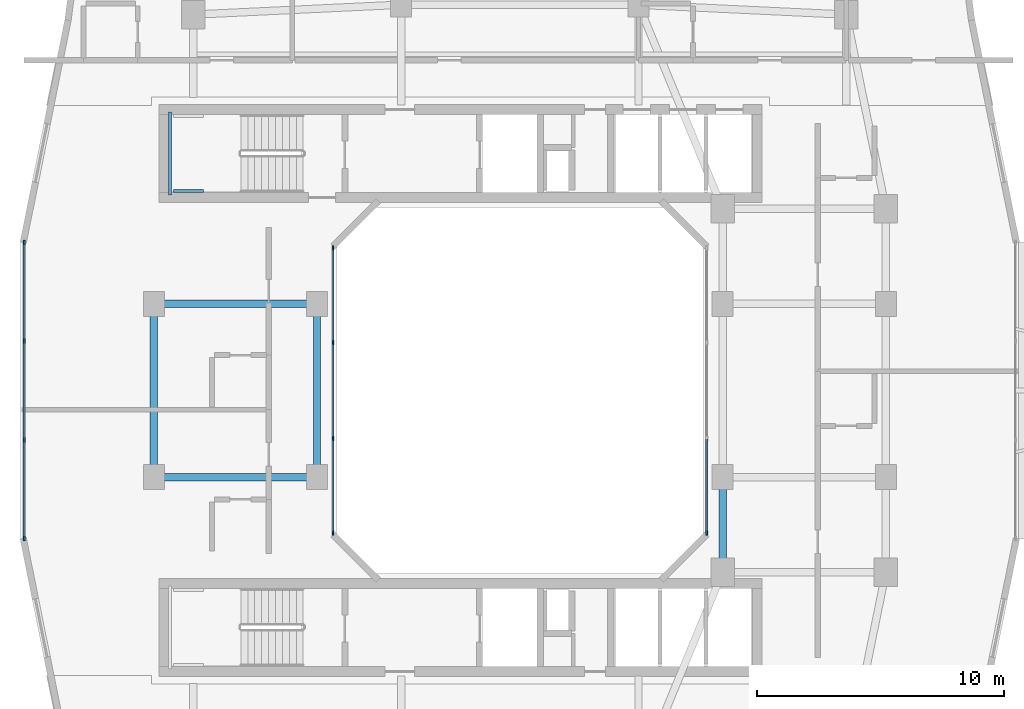
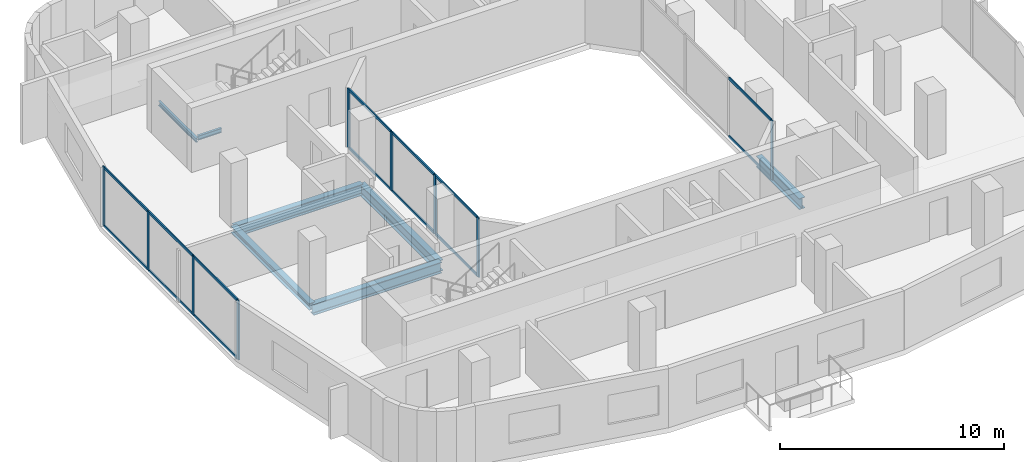
# One storey, part 2 of 22: 23 members, 7 beams, 3 elements without a shape of their own.
"""IFC4 building model written with IfcOpenShell, lengths in metres."""

from ifc_helpers import new_model, si_unit, derived_unit, direction, frame, origin, origin_2d, place, context, subcontext, project, spatial, rectangle, i_section, extrude, material, layer, layer_set, material_profile, profile_set, type_object, element, aggregate, save


model = new_model("IFC4")

# Units and contexts
model_context = context("Model", 3, precision=1e-05, world=origin(), true_north=direction((0.0, 1.0)))
body_context = subcontext(model_context, "Body", "Model", "MODEL_VIEW")
ifc_project = project(units=[si_unit("LENGTHUNIT", "METRE"), si_unit("AREAUNIT", "SQUARE_METRE"), si_unit("VOLUMEUNIT", "CUBIC_METRE"), si_unit("PLANEANGLEUNIT", "RADIAN"), si_unit("MASSUNIT", "GRAM", prefix="KILO"), derived_unit("THERMALTRANSMITTANCEUNIT", [(si_unit("POWERUNIT", "WATT"), 1), (si_unit("LENGTHUNIT", "METRE"), -2), (si_unit("THERMODYNAMICTEMPERATUREUNIT", "KELVIN"), -1)])], contexts=[model_context])

# Site, building, storey
site_placement = place(None, origin())
site = spatial("IfcSite", under=ifc_project, at=site_placement, CompositionType="ELEMENT")
building_placement = place(site_placement, origin())
building = spatial("IfcBuilding", under=site, at=building_placement, Name="Kivonza Crest Hotel", CompositionType="ELEMENT")
storey_placement = place(building_placement, frame((0.0, 0.0, 112.5)))
storey = spatial("IfcBuildingStorey", under=building, at=storey_placement, Name="L30", CompositionType="ELEMENT", Elevation=112.5)

# Beams
ifc_material_1 = material(Name="Steel S355", Category="steel")
ifc_material_profile_1 = material_profile(ifc_material_1, i_section(OverallWidth=0.300048828125, OverallDepth=0.360107421875, WebThickness=0.012451171875, FlangeThickness=0.0224609375, FilletRadius=0.027099609375, at=origin_2d()), Name="HEB 360")
ifc_profile_set_1 = profile_set([ifc_material_profile_1], Name="Steel S355")
beam_type_1 = type_object("IfcBeamType", Name="BM-HEB360", PredefinedType="SPANDREL", material=ifc_profile_set_1)
beam_1_placement = place(storey_placement, frame((6.199951171875, 28.5, -0.4599609375), z_axis=(0.0, -1.0, 0.0), x_axis=(1.0, 0.0, 0.0)))
element("IfcBeam", 1, at=beam_1_placement, inside=storey, type_object=beam_type_1, Name="Tower T1 L30 perimeter spandrel W2-W1", PredefinedType="SPANDREL", context=body_context, shape_type="SweptSolid", body=[
    extrude(i_section(OverallWidth=0.300048828125, OverallDepth=0.360107421875, WebThickness=0.012451171875, FlangeThickness=0.0224609375, FilletRadius=0.027099609375, at=origin_2d()), origin(), (0.0, 0.0, 1.0), 7.0),
])
ifc_material_profile_2 = material_profile(ifc_material_1, i_section(OverallWidth=0.300048828125, OverallDepth=0.60009765625, WebThickness=0.015380859375, FlangeThickness=0.030029296875, FilletRadius=0.027099609375, at=origin_2d()), Name="HEB 600")
ifc_profile_set_2 = profile_set([ifc_material_profile_2], Name="Steel S355")
beam_type_2 = type_object("IfcBeamType", Name="BM-HEB600", PredefinedType="BEAM", material=ifc_profile_set_2)
for number, where, z_axis, x_axis, name in (
    (2, (6.199951171875, 21.5, -0.580078125), (1.0, 0.0, 0.0), (0.0, 1.0, 0.0), "Tower T1 L30 primary girder W1-WL1"),
    (3, (6.199951171875, 28.5, -0.580078125), (1.0, 0.0, 0.0), (0.0, 1.0, 0.0), "Tower T1 L30 primary girder W2-WL2"),
):
    element("IfcBeam", number, at=place(storey_placement, frame(where, z_axis=z_axis, x_axis=x_axis)), inside=storey, type_object=beam_type_2, Name=name, PredefinedType="BEAM", context=body_context, shape_type="SweptSolid", body=[
        extrude(i_section(OverallWidth=0.300048828125, OverallDepth=0.60009765625, WebThickness=0.015380859375, FlangeThickness=0.030029296875, FilletRadius=0.027099609375, at=origin_2d()), origin(), (0.0, 0.0, 1.0), 6.60009765625),
    ])
beam_2_placement = place(storey_placement, frame((12.800048828125, 21.5, -0.580078125), z_axis=(0.0, 1.0, 0.0), x_axis=(-1.0, 0.0, 0.0)))
element("IfcBeam", 4, at=beam_2_placement, inside=storey, type_object=beam_type_2, Name="Tower T1 L30 primary girder WL1-WL2", PredefinedType="BEAM", context=body_context, shape_type="SweptSolid", body=[
    extrude(i_section(OverallWidth=0.300048828125, OverallDepth=0.60009765625, WebThickness=0.015380859375, FlangeThickness=0.030029296875, FilletRadius=0.027099609375, at=origin_2d()), origin(), (0.0, 0.0, 1.0), 7.0),
])
beam_3_placement = place(storey_placement, frame((29.199951171875, 17.64990234375, -0.580078125), z_axis=(0.0, 1.0, 0.0), x_axis=(-1.0, 0.0, 0.0)))
element("IfcBeam", 5, at=beam_3_placement, inside=storey, type_object=beam_type_2, Name="Tower T1 L30 primary girder TSE-WR1", PredefinedType="BEAM", context=body_context, shape_type="SweptSolid", body=[
    extrude(i_section(OverallWidth=0.300048828125, OverallDepth=0.60009765625, WebThickness=0.015380859375, FlangeThickness=0.030029296875, FilletRadius=0.027099609375, at=origin_2d()), origin(), (0.0, 0.0, 1.0), 3.85009765625),
])
ifc_material_profile_3 = material_profile(ifc_material_1, i_section(OverallWidth=0.1201171875, OverallDepth=0.239990234375, WebThickness=0.006103515625, FlangeThickness=0.009765625, FilletRadius=0.014892578125, at=origin_2d()), Name="IPE 240")
ifc_profile_set_3 = profile_set([ifc_material_profile_3], Name="Steel S355")
beam_type_3 = type_object("IfcBeamType", Name="BM-LLDG-240", PredefinedType="BEAM", material=ifc_profile_set_3)
beam_4_placement = place(storey_placement, frame((6.860107421875, 32.89990234375, 1.429931640625), z_axis=(0.0, 1.0, 0.0), x_axis=(-1.0, 0.0, 0.0)))
element("IfcBeam", 6, at=beam_4_placement, inside=storey, type_object=beam_type_3, Name="Stair ST-T1-N L30 West landing corbel", PredefinedType="BEAM", context=body_context, shape_type="SweptSolid", body=[
    extrude(i_section(OverallWidth=0.1201171875, OverallDepth=0.239990234375, WebThickness=0.006103515625, FlangeThickness=0.009765625, FilletRadius=0.014892578125, at=origin_2d()), origin(), (0.0, 0.0, 1.0), 3.360107421875),
])
beam_5_placement = place(storey_placement, frame((6.989990234375, 33.06005859375, 1.429931640625), z_axis=(1.0, 0.0, 0.0), x_axis=(0.0, 1.0, 0.0)))
element("IfcBeam", 7, at=beam_5_placement, inside=storey, type_object=beam_type_3, Name="Stair ST-T1-N L30 South landing corbel", PredefinedType="BEAM", context=body_context, shape_type="SweptSolid", body=[
    extrude(i_section(OverallWidth=0.1201171875, OverallDepth=0.239990234375, WebThickness=0.006103515625, FlangeThickness=0.009765625, FilletRadius=0.014892578125, at=origin_2d()), origin(), (0.0, 0.0, 1.0), 1.2099609375),
])

# Curtain wall, members
ifc_material_2 = material(Name="Anodised bronze aluminium and low-E double glazing", Category="aluminium")
ifc_layer_1 = layer(ifc_material_2, 0.179931640625)
ifc_layer_set_1 = layer_set([ifc_layer_1], Name="Anodised bronze aluminium and low-E double glazing")
curtain_wall_type_1 = type_object("IfcCurtainWallType", Name="CW-SYS-2", PredefinedType="NOTDEFINED", material=ifc_layer_set_1)
curtain_wall_1_placement = place(storey_placement, origin())
curtain_wall_1 = element("IfcCurtainWall", 8, at=curtain_wall_1_placement, inside=storey, type_object=curtain_wall_type_1, Name="L30 unitised curtain wall CW-T1-L30-35", PredefinedType="NOTDEFINED")
ifc_material_3 = material(Name="Anodised bronze aluminium", Category="aluminium")
ifc_material_profile_4 = material_profile(ifc_material_3, rectangle(XDim=0.06494140625, YDim=0.179931640625, at=origin_2d()), Name="CW-M 65x180")
ifc_profile_set_4 = profile_set([ifc_material_profile_4], Name="Anodised bronze aluminium")
member_type_1 = type_object("IfcMemberType", Name="CW-MUL-65x180", PredefinedType="MULLION", material=ifc_profile_set_4)
member_1_placement = place(storey_placement, frame((0.9599609375, 30.987548828125, 0.0), z_axis=(0.0, 0.0, 1.0), x_axis=(1.0, 0.0, 0.0)))
member_1 = element("IfcMember", 9, at=member_1_placement, type_object=member_type_1, Name="CW-2 mullion 1", PredefinedType="MULLION", context=body_context, shape_type="SweptSolid", body=[
    extrude(rectangle(XDim=0.06494140625, YDim=0.179931640625, at=origin_2d()), origin(), (0.0, 0.0, 1.0), 3.219970703125),
])
member_2_placement = place(storey_placement, frame((0.9599609375, 27.006591796875, 0.0), z_axis=(0.0, 0.0, 1.0), x_axis=(1.0, 0.0, 0.0)))
member_2 = element("IfcMember", 10, at=member_2_placement, type_object=member_type_1, Name="CW-2 mullion 2", PredefinedType="MULLION", context=body_context, shape_type="SweptSolid", body=[
    extrude(rectangle(XDim=0.06494140625, YDim=0.179931640625, at=origin_2d()), origin(), (0.0, 0.0, 1.0), 3.219970703125),
])
member_3_placement = place(storey_placement, frame((0.9599609375, 22.993408203125, 0.0), z_axis=(0.0, 0.0, 1.0), x_axis=(1.0, 0.0, 0.0)))
member_3 = element("IfcMember", 11, at=member_3_placement, type_object=member_type_1, Name="CW-2 mullion 3", PredefinedType="MULLION", context=body_context, shape_type="SweptSolid", body=[
    extrude(rectangle(XDim=0.06494140625, YDim=0.179931640625, at=origin_2d()), origin(), (0.0, 0.0, 1.0), 3.219970703125),
])
member_4_placement = place(storey_placement, frame((0.9599609375, 19.012451171875, 0.0), z_axis=(0.0, 0.0, 1.0), x_axis=(1.0, 0.0, 0.0)))
member_4 = element("IfcMember", 12, at=member_4_placement, type_object=member_type_1, Name="CW-2 mullion 4", PredefinedType="MULLION", context=body_context, shape_type="SweptSolid", body=[
    extrude(rectangle(XDim=0.06494140625, YDim=0.179931640625, at=origin_2d()), origin(), (0.0, 0.0, 1.0), 3.219970703125),
])

# Curtain wall, member
ifc_layer_2 = layer(ifc_material_2, 0.159912109375)
ifc_layer_set_2 = layer_set([ifc_layer_2], Name="Anodised bronze aluminium and low-E double glazing")
curtain_wall_type_2 = type_object("IfcCurtainWallType", Name="CW-SYS-5", PredefinedType="NOTDEFINED", material=ifc_layer_set_2)
curtain_wall_2_placement = place(storey_placement, origin())
curtain_wall_2 = element("IfcCurtainWall", 13, at=curtain_wall_2_placement, inside=storey, type_object=curtain_wall_type_2, Name="L30 unitised curtain wall CW-WELL-T1-L30-3", PredefinedType="NOTDEFINED")
member_5_placement = place(storey_placement, frame((28.56005859375, 19.232421875, 0.0), z_axis=(0.0, 0.0, 1.0), x_axis=(-1.0, 0.0, 0.0)))
member_5 = element("IfcMember", 14, at=member_5_placement, type_object=member_type_1, Name="CW-5 mullion 1", PredefinedType="MULLION", context=body_context, shape_type="SweptSolid", body=[
    extrude(rectangle(XDim=0.06494140625, YDim=0.179931640625, at=origin_2d()), origin(), (0.0, 0.0, 1.0), 3.219970703125),
])

# Curtain wall, members
curtain_wall_3_placement = place(storey_placement, origin())
curtain_wall_3 = element("IfcCurtainWall", 15, at=curtain_wall_3_placement, inside=storey, type_object=curtain_wall_type_2, Name="L30 unitised curtain wall CW-WELL-T1-L30-7", PredefinedType="NOTDEFINED")
member_6_placement = place(storey_placement, frame((13.43994140625, 30.767578125, 0.0), z_axis=(0.0, 0.0, 1.0), x_axis=(1.0, 0.0, 0.0)))
member_6 = element("IfcMember", 16, at=member_6_placement, type_object=member_type_1, Name="CW-5 mullion 1", PredefinedType="MULLION", context=body_context, shape_type="SweptSolid", body=[
    extrude(rectangle(XDim=0.06494140625, YDim=0.179931640625, at=origin_2d()), origin(), (0.0, 0.0, 1.0), 3.219970703125),
])
member_7_placement = place(storey_placement, frame((13.43994140625, 26.933349609375, 0.0), z_axis=(0.0, 0.0, 1.0), x_axis=(1.0, 0.0, 0.0)))
member_7 = element("IfcMember", 17, at=member_7_placement, type_object=member_type_1, Name="CW-5 mullion 2", PredefinedType="MULLION", context=body_context, shape_type="SweptSolid", body=[
    extrude(rectangle(XDim=0.06494140625, YDim=0.179931640625, at=origin_2d()), origin(), (0.0, 0.0, 1.0), 3.219970703125),
])
member_8_placement = place(storey_placement, frame((13.43994140625, 23.066650390625, 0.0), z_axis=(0.0, 0.0, 1.0), x_axis=(1.0, 0.0, 0.0)))
member_8 = element("IfcMember", 18, at=member_8_placement, type_object=member_type_1, Name="CW-5 mullion 3", PredefinedType="MULLION", context=body_context, shape_type="SweptSolid", body=[
    extrude(rectangle(XDim=0.06494140625, YDim=0.179931640625, at=origin_2d()), origin(), (0.0, 0.0, 1.0), 3.219970703125),
])
member_9_placement = place(storey_placement, frame((13.43994140625, 19.232421875, 0.0), z_axis=(0.0, 0.0, 1.0), x_axis=(1.0, 0.0, 0.0)))
member_9 = element("IfcMember", 19, at=member_9_placement, type_object=member_type_1, Name="CW-5 mullion 4", PredefinedType="MULLION", context=body_context, shape_type="SweptSolid", body=[
    extrude(rectangle(XDim=0.06494140625, YDim=0.179931640625, at=origin_2d()), origin(), (0.0, 0.0, 1.0), 3.219970703125),
])

# Member
ifc_material_profile_5 = material_profile(ifc_material_3, rectangle(XDim=0.06494140625, YDim=0.139892578125, at=origin_2d()), Name="CW-T 65x140")
ifc_profile_set_5 = profile_set([ifc_material_profile_5], Name="Anodised bronze aluminium")
member_type_2 = type_object("IfcMemberType", Name="CW-TRN-65x140", PredefinedType="USERDEFINED", material=ifc_profile_set_5)
member_10_placement = place(storey_placement, frame((0.9599609375, 30.955078125, 0.032470703125), z_axis=(0.0, -1.0, 0.0), x_axis=(1.0, 0.0, 0.0)))
member_10 = element("IfcMember", 20, at=member_10_placement, type_object=member_type_2, Name="CW-2 transom 1.1", ObjectType="TRANSOM", PredefinedType="USERDEFINED", context=body_context, shape_type="SweptSolid", body=[
    extrude(rectangle(XDim=0.06494140625, YDim=0.139892578125, at=origin_2d()), origin(), (0.0, 0.0, 1.0), 3.916015625),
])

member_11_placement = place(storey_placement, frame((0.9599609375, 30.955078125, 3.1875), z_axis=(0.0, -1.0, 0.0), x_axis=(1.0, 0.0, 0.0)))
member_11 = element("IfcMember", 21, at=member_11_placement, type_object=member_type_2, Name="CW-2 transom 1.2", ObjectType="TRANSOM", PredefinedType="USERDEFINED", context=body_context, shape_type="SweptSolid", body=[
    extrude(rectangle(XDim=0.06494140625, YDim=0.139892578125, at=origin_2d()), origin(), (0.0, 0.0, 1.0), 3.916015625),
])

member_12_placement = place(storey_placement, frame((0.9599609375, 26.97412109375, 0.032470703125), z_axis=(0.0, -1.0, 0.0), x_axis=(1.0, 0.0, 0.0)))
member_12 = element("IfcMember", 22, at=member_12_placement, type_object=member_type_2, Name="CW-2 transom 2.1", ObjectType="TRANSOM", PredefinedType="USERDEFINED", context=body_context, shape_type="SweptSolid", body=[
    extrude(rectangle(XDim=0.06494140625, YDim=0.139892578125, at=origin_2d()), origin(), (0.0, 0.0, 1.0), 3.9482421875),
])

member_13_placement = place(storey_placement, frame((0.9599609375, 26.97412109375, 3.1875), z_axis=(0.0, -1.0, 0.0), x_axis=(1.0, 0.0, 0.0)))
member_13 = element("IfcMember", 23, at=member_13_placement, type_object=member_type_2, Name="CW-2 transom 2.2", ObjectType="TRANSOM", PredefinedType="USERDEFINED", context=body_context, shape_type="SweptSolid", body=[
    extrude(rectangle(XDim=0.06494140625, YDim=0.139892578125, at=origin_2d()), origin(), (0.0, 0.0, 1.0), 3.9482421875),
])

member_14_placement = place(storey_placement, frame((0.9599609375, 22.9609375, 0.032470703125), z_axis=(0.0, -1.0, 0.0), x_axis=(1.0, 0.0, 0.0)))
member_14 = element("IfcMember", 24, at=member_14_placement, type_object=member_type_2, Name="CW-2 transom 3.1", ObjectType="TRANSOM", PredefinedType="USERDEFINED", context=body_context, shape_type="SweptSolid", body=[
    extrude(rectangle(XDim=0.06494140625, YDim=0.139892578125, at=origin_2d()), origin(), (0.0, 0.0, 1.0), 3.916015625),
])

member_15_placement = place(storey_placement, frame((0.9599609375, 22.9609375, 3.1875), z_axis=(0.0, -1.0, 0.0), x_axis=(1.0, 0.0, 0.0)))
member_15 = element("IfcMember", 25, at=member_15_placement, type_object=member_type_2, Name="CW-2 transom 3.2", ObjectType="TRANSOM", PredefinedType="USERDEFINED", context=body_context, shape_type="SweptSolid", body=[
    extrude(rectangle(XDim=0.06494140625, YDim=0.139892578125, at=origin_2d()), origin(), (0.0, 0.0, 1.0), 3.916015625),
])

aggregate(curtain_wall_1, [member_1, member_2, member_3, member_4, member_10, member_11, member_12, member_13, member_14, member_15])

member_16_placement = place(storey_placement, frame((28.56005859375, 19.264892578125, 0.032470703125), z_axis=(0.0, 1.0, 0.0), x_axis=(-1.0, 0.0, 0.0)))
member_16 = element("IfcMember", 26, at=member_16_placement, type_object=member_type_2, Name="CW-5 transom 1.1", ObjectType="TRANSOM", PredefinedType="USERDEFINED", context=body_context, shape_type="SweptSolid", body=[
    extrude(rectangle(XDim=0.06494140625, YDim=0.139892578125, at=origin_2d()), origin(), (0.0, 0.0, 1.0), 3.769287109375),
])

member_17_placement = place(storey_placement, frame((28.56005859375, 19.264892578125, 3.1875), z_axis=(0.0, 1.0, 0.0), x_axis=(-1.0, 0.0, 0.0)))
member_17 = element("IfcMember", 27, at=member_17_placement, type_object=member_type_2, Name="CW-5 transom 1.2", ObjectType="TRANSOM", PredefinedType="USERDEFINED", context=body_context, shape_type="SweptSolid", body=[
    extrude(rectangle(XDim=0.06494140625, YDim=0.139892578125, at=origin_2d()), origin(), (0.0, 0.0, 1.0), 3.769287109375),
])

aggregate(curtain_wall_2, [member_5, member_16, member_17])

member_18_placement = place(storey_placement, frame((13.43994140625, 30.735107421875, 0.032470703125), z_axis=(0.0, -1.0, 0.0), x_axis=(1.0, 0.0, 0.0)))
member_18 = element("IfcMember", 28, at=member_18_placement, type_object=member_type_2, Name="CW-5 transom 1.1", ObjectType="TRANSOM", PredefinedType="USERDEFINED", context=body_context, shape_type="SweptSolid", body=[
    extrude(rectangle(XDim=0.06494140625, YDim=0.139892578125, at=origin_2d()), origin(), (0.0, 0.0, 1.0), 3.769287109375),
])

member_19_placement = place(storey_placement, frame((13.43994140625, 30.735107421875, 3.1875), z_axis=(0.0, -1.0, 0.0), x_axis=(1.0, 0.0, 0.0)))
member_19 = element("IfcMember", 29, at=member_19_placement, type_object=member_type_2, Name="CW-5 transom 1.2", ObjectType="TRANSOM", PredefinedType="USERDEFINED", context=body_context, shape_type="SweptSolid", body=[
    extrude(rectangle(XDim=0.06494140625, YDim=0.139892578125, at=origin_2d()), origin(), (0.0, 0.0, 1.0), 3.769287109375),
])

member_20_placement = place(storey_placement, frame((13.43994140625, 26.90087890625, 0.032470703125), z_axis=(0.0, -1.0, 0.0), x_axis=(1.0, 0.0, 0.0)))
member_20 = element("IfcMember", 30, at=member_20_placement, type_object=member_type_2, Name="CW-5 transom 2.1", ObjectType="TRANSOM", PredefinedType="USERDEFINED", context=body_context, shape_type="SweptSolid", body=[
    extrude(rectangle(XDim=0.06494140625, YDim=0.139892578125, at=origin_2d()), origin(), (0.0, 0.0, 1.0), 3.8017578125),
])

member_21_placement = place(storey_placement, frame((13.43994140625, 26.90087890625, 3.1875), z_axis=(0.0, -1.0, 0.0), x_axis=(1.0, 0.0, 0.0)))
member_21 = element("IfcMember", 31, at=member_21_placement, type_object=member_type_2, Name="CW-5 transom 2.2", ObjectType="TRANSOM", PredefinedType="USERDEFINED", context=body_context, shape_type="SweptSolid", body=[
    extrude(rectangle(XDim=0.06494140625, YDim=0.139892578125, at=origin_2d()), origin(), (0.0, 0.0, 1.0), 3.8017578125),
])

member_22_placement = place(storey_placement, frame((13.43994140625, 23.0341796875, 0.032470703125), z_axis=(0.0, -1.0, 0.0), x_axis=(1.0, 0.0, 0.0)))
member_22 = element("IfcMember", 32, at=member_22_placement, type_object=member_type_2, Name="CW-5 transom 3.1", ObjectType="TRANSOM", PredefinedType="USERDEFINED", context=body_context, shape_type="SweptSolid", body=[
    extrude(rectangle(XDim=0.06494140625, YDim=0.139892578125, at=origin_2d()), origin(), (0.0, 0.0, 1.0), 3.769287109375),
])

member_23_placement = place(storey_placement, frame((13.43994140625, 23.0341796875, 3.1875), z_axis=(0.0, -1.0, 0.0), x_axis=(1.0, 0.0, 0.0)))
member_23 = element("IfcMember", 33, at=member_23_placement, type_object=member_type_2, Name="CW-5 transom 3.2", ObjectType="TRANSOM", PredefinedType="USERDEFINED", context=body_context, shape_type="SweptSolid", body=[
    extrude(rectangle(XDim=0.06494140625, YDim=0.139892578125, at=origin_2d()), origin(), (0.0, 0.0, 1.0), 3.769287109375),
])

aggregate(curtain_wall_3, [member_6, member_7, member_8, member_9, member_18, member_19, member_20, member_21, member_22, member_23])

save(model, "model.ifc")
